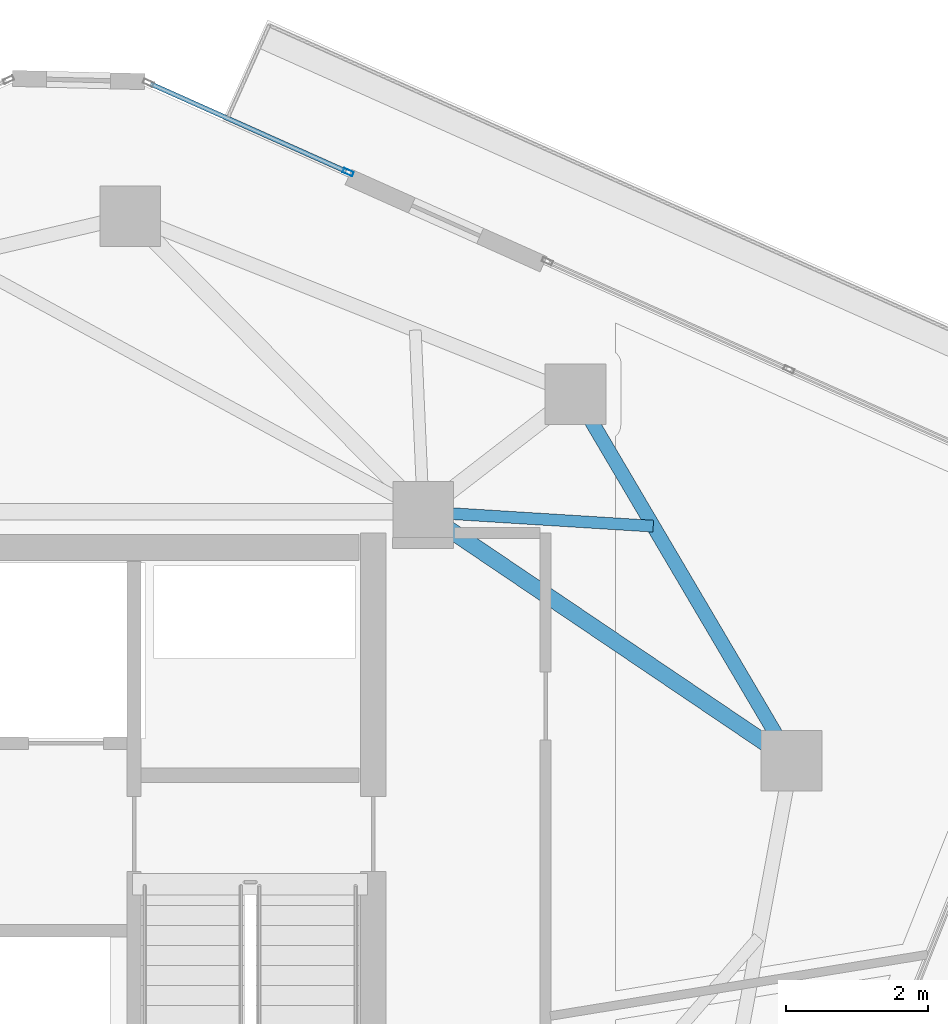
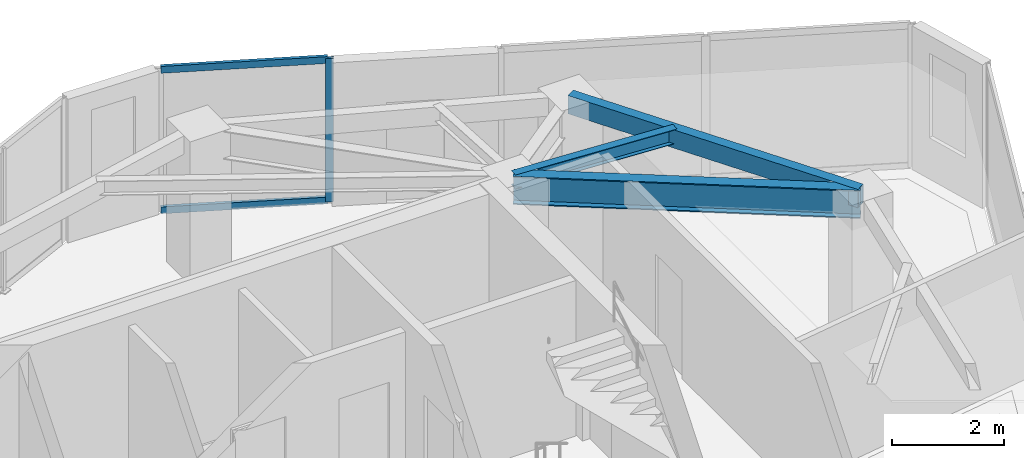
# One storey, part 13 of 21: 3 beams, 3 members, 1 element without a shape of its own.
"""IFC4 building model written with IfcOpenShell, lengths in metres."""

from ifc_helpers import new_model, si_unit, direction, frame, origin, origin_2d, place, context, subcontext, project, spatial, hollow_rectangle, i_section, extrude, source, transform, mapped, material, layer, layer_set, material_profile, profile_set, type_object, type_shapes, element, aggregate, save


model = new_model("IFC4")

# Units and contexts
model_context = context("Model", 3, precision=1e-05, world=origin(), true_north=direction((0.0, 1.0)))
body_context = subcontext(model_context, "Body", "Model", "MODEL_VIEW")
ifc_project = project(units=[si_unit("LENGTHUNIT", "METRE"), si_unit("AREAUNIT", "SQUARE_METRE"), si_unit("VOLUMEUNIT", "CUBIC_METRE"), si_unit("PLANEANGLEUNIT", "RADIAN"), si_unit("MASSUNIT", "GRAM", prefix="KILO")], contexts=[model_context])

# Site, building, storey
site_placement = place(None, origin())
site = spatial("IfcSite", under=ifc_project, at=site_placement, CompositionType="ELEMENT")
building_placement = place(site_placement, origin())
building = spatial("IfcBuilding", under=site, at=building_placement, Name="Talar Marvaseh", CompositionType="ELEMENT")
storey_placement = place(building_placement, frame((0.0, 0.0, 271.39990234375)))
storey = spatial("IfcBuildingStorey", under=building, at=storey_placement, Name="L72", CompositionType="ELEMENT", Elevation=271.39990234375)

# Beams
ifc_material_1 = material(Name="Steel S355", Category="steel")
ifc_material_profile_1 = material_profile(ifc_material_1, hollow_rectangle(XDim=0.199951171875, YDim=0.39990234375, WallThickness=0.013916015625, at=origin_2d()), Name="RHS400x200x14")
ifc_profile_set_1 = profile_set([ifc_material_profile_1], Name="Steel S355")
beam_type_1 = type_object("IfcBeamType", Name="Zone 3 Perimeter Spandrel Beam RHS400x200x14", PredefinedType="SPANDREL", material=ifc_profile_set_1)
beam_1_placement = place(storey_placement, frame((35.43798828125, 38.551025390625, 2.940185546875), z_axis=(0.507825587611, -0.861459907696, 0.0), x_axis=(0.861459907696, 0.507825587611, 0.0)))
element("IfcBeam", 1, at=beam_1_placement, inside=storey, type_object=beam_type_1, Name="L72 Zone 3 Perimeter Spandrel Beam RHS400x200x14", PredefinedType="SPANDREL", context=body_context, shape_type="SweptSolid", body=[
    extrude(hollow_rectangle(XDim=0.199951171875, YDim=0.39990234375, WallThickness=0.013916015625, at=origin_2d()), origin(), (0.0, 0.0, 1.0), 5.972412109375),
])
ifc_material_profile_2 = material_profile(ifc_material_1, i_section(OverallWidth=0.166015625, OverallDepth=0.31298828125, WebThickness=0.006591796875, FlangeThickness=0.01123046875, at=origin_2d()), Name="W310x45")
ifc_profile_set_2 = profile_set([ifc_material_profile_2], Name="Steel S355")
beam_type_2 = type_object("IfcBeamType", Name="Zone 3 Secondary Floor Joist W310x45", PredefinedType="JOIST", material=ifc_profile_set_2)
beam_2_placement = place(storey_placement, frame((36.52978515625, 36.69873046875, 2.983642578125), z_axis=(-0.998065766367, 0.062166920515, 0.0), x_axis=(-0.062166920515, -0.998065766367, 0.0)))
element("IfcBeam", 2, at=beam_2_placement, inside=storey, type_object=beam_type_2, Name="L72 Zone 3 Secondary Floor Joist W310x45", PredefinedType="JOIST", context=body_context, shape_type="SweptSolid", body=[
    extrude(i_section(OverallWidth=0.166015625, OverallDepth=0.31298828125, WebThickness=0.006591796875, FlangeThickness=0.01123046875, at=origin_2d()), origin(), (0.0, 0.0, 1.0), 3.236083984375),
])
ifc_material_profile_3 = material_profile(ifc_material_1, i_section(OverallWidth=0.22998046875, OverallDepth=0.616943359375, WebThickness=0.01318359375, FlangeThickness=0.022216796875, at=origin_2d()), Name="W610x140")
ifc_profile_set_3 = profile_set([ifc_material_profile_3], Name="Steel S355")
beam_type_3 = type_object("IfcBeamType", Name="Zone 4 Radial Floor Girder W610x140", PredefinedType="BEAM", material=ifc_profile_set_3)
beam_3_placement = place(storey_placement, frame((38.470947265625, 33.406005859375, 2.83154296875), z_axis=(-0.828585535277, 0.559862492698, 0.0), x_axis=(-0.559862492698, -0.828585535277, 0.0)))
element("IfcBeam", 3, at=beam_3_placement, inside=storey, type_object=beam_type_3, Name="L72 Zone 4 Radial Floor Girder W610x140", PredefinedType="BEAM", context=body_context, shape_type="SweptSolid", body=[
    extrude(i_section(OverallWidth=0.22998046875, OverallDepth=0.616943359375, WebThickness=0.01318359375, FlangeThickness=0.022216796875, at=origin_2d()), origin(), (0.0, 0.0, 1.0), 6.24072265625),
])

# Curtain wall, members
ifc_material_2 = material(Name="Architectural Aluminium", Category="aluminium")
ifc_layer = layer(ifc_material_2, 0.179931640625)
ifc_layer_set = layer_set([ifc_layer], Name="Architectural Aluminium")
curtain_wall_type = type_object("IfcCurtainWallType", Name="Unitised High-Wind Sky Curtain Wall Z4", PredefinedType="NOTDEFINED", material=ifc_layer_set)
curtain_wall_placement = place(storey_placement, origin())
curtain_wall = element("IfcCurtainWall", 4, at=curtain_wall_placement, inside=storey, type_object=curtain_wall_type, Name="L72 Unitised High-Wind Sky Curtain Wall Z4", PredefinedType="NOTDEFINED")
ifc_material_profile_4 = material_profile(ifc_material_2, hollow_rectangle(XDim=0.06494140625, YDim=0.14990234375, WallThickness=0.00390625, at=origin_2d()), Name="RHS150x65x4")
ifc_profile_set_4 = profile_set([ifc_material_profile_4], Name="Architectural Aluminium")
member_type_1 = type_object("IfcMemberType", Name="Unitised Curtain Wall Slim Mullion RHS150x65x4", PredefinedType="MULLION", material=ifc_profile_set_4)
shared_shape_1 = source(origin(), body_context, "Body", "SweptSolid", [
    extrude(hollow_rectangle(XDim=0.06494140625, YDim=0.14990234375, WallThickness=0.00390625, at=origin_2d()), origin(), (0.0, 0.0, 1.0), 3.14013671875),
])
type_shapes(member_type_1, [shared_shape_1])
member_1_placement = place(storey_placement, frame((32.244873046875, 41.6689453125, 0.0), z_axis=(0.0, 0.0, 1.0), x_axis=(0.408264670355, 0.912863603689, 0.0)))
member_1 = element("IfcMember", 5, at=member_1_placement, type_object=member_type_1, Name="CW-Z4 mullion 2", PredefinedType="MULLION", context=body_context, shape_type="MappedRepresentation", body=[
    mapped(shared_shape_1, transform((0.0, 0.0, 0.0), x_axis=(1.0, 0.0, 0.0), y_axis=(0.0, 1.0, 0.0), z_axis=(0.0, 0.0, 1.0), scale=1.0)),
])
ifc_material_profile_5 = material_profile(ifc_material_2, hollow_rectangle(XDim=0.06494140625, YDim=0.14990234375, WallThickness=0.00390625, at=origin_2d()), Name="RHS150x65x4")
ifc_profile_set_5 = profile_set([ifc_material_profile_5], Name="Architectural Aluminium")
member_type_2 = type_object("IfcMemberType", Name="Unitised Curtain Wall Slim Transom RHS150x65x4", PredefinedType="USERDEFINED", material=ifc_profile_set_5)
shared_shape_2 = source(origin(), body_context, "Body", "SweptSolid", [
    extrude(hollow_rectangle(XDim=0.06494140625, YDim=0.14990234375, WallThickness=0.00390625, at=origin_2d()), origin(), (0.0, 0.0, 1.0), 3.005859375),
])
type_shapes(member_type_2, [shared_shape_2])
member_2_placement = place(storey_placement, frame((29.47119140625, 42.909423828125, 0.03271484375), z_axis=(0.912847729195, -0.408300163241, 0.0), x_axis=(0.408300163241, 0.912847729195, 0.0)))
member_2 = element("IfcMember", 6, at=member_2_placement, type_object=member_type_2, Name="CW-Z4 transom 1.1", ObjectType="TRANSOM", PredefinedType="USERDEFINED", context=body_context, shape_type="MappedRepresentation", body=[
    mapped(shared_shape_2, transform((0.0, 0.0, 0.0), x_axis=(1.0, 0.0, 0.0), y_axis=(0.0, 1.0, 0.0), z_axis=(0.0, 0.0, 1.0), scale=1.0)),
])
member_3_placement = place(storey_placement, frame((29.47119140625, 42.909423828125, 3.107666015625), z_axis=(0.912847729195, -0.408300163241, 0.0), x_axis=(0.408300163241, 0.912847729195, 0.0)))
member_3 = element("IfcMember", 7, at=member_3_placement, type_object=member_type_2, Name="CW-Z4 transom 1.2", ObjectType="TRANSOM", PredefinedType="USERDEFINED", context=body_context, shape_type="MappedRepresentation", body=[
    mapped(shared_shape_2, transform((0.0, 0.0, 0.0), x_axis=(1.0, 0.0, 0.0), y_axis=(0.0, 1.0, 0.0), z_axis=(0.0, 0.0, 1.0), scale=1.0)),
])
aggregate(curtain_wall, [member_1, member_2, member_3])

save(model, "model.ifc")
